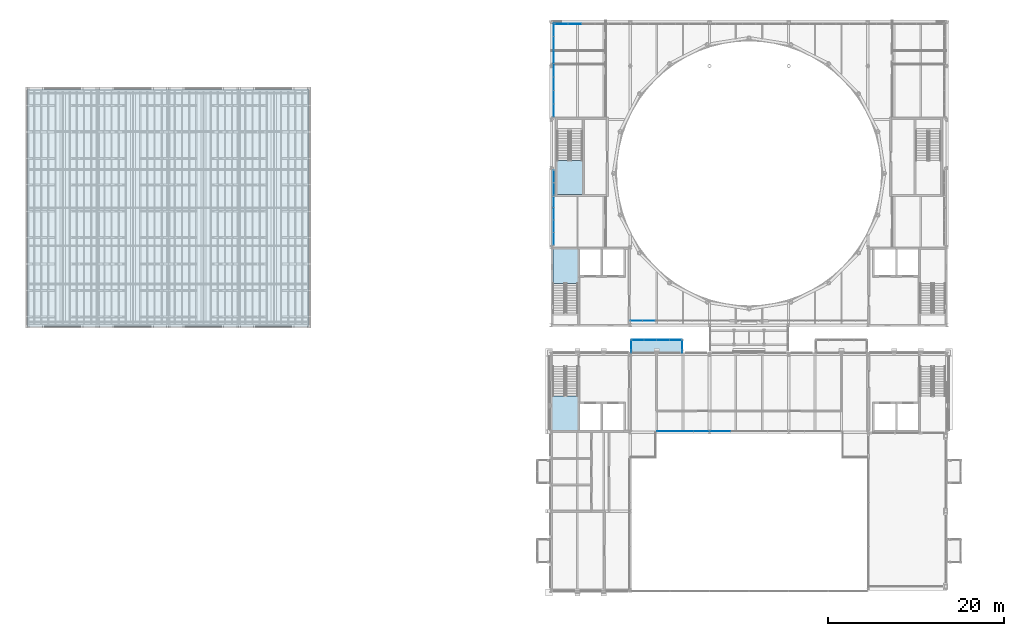
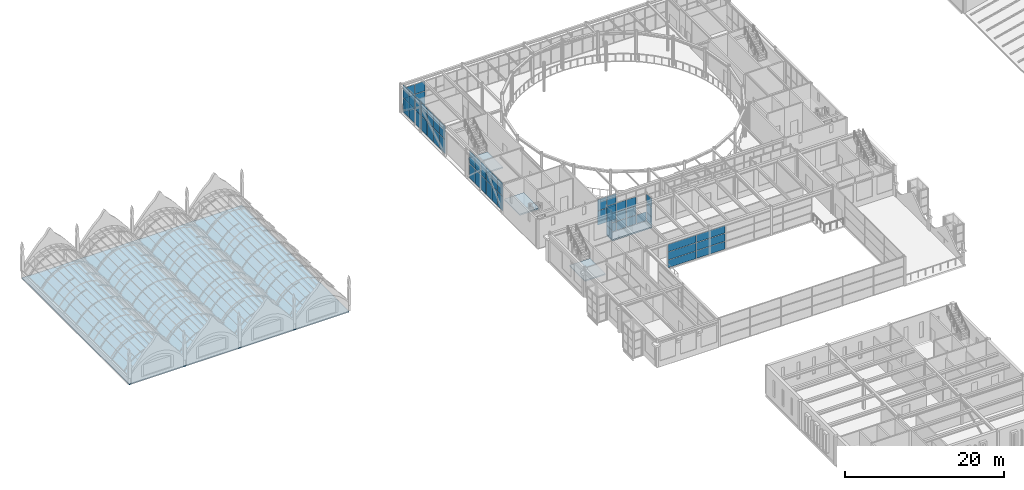
# One storey, part 60 of 111: 56 plates, 5 slabs, 11 elements without a shape of their own.
"""IFC4 building model written with IfcOpenShell, lengths in metres."""

from ifc_helpers import new_model, si_unit, direction, frame, origin, origin_2d, place, context, subcontext, project, spatial, polyline, rectangle, outline, extrude, material, layer, layer_set, type_object, element, aggregate, save


model = new_model("IFC4")

# Units and contexts
model_context = context("Model", 3, precision=1e-05, world=origin(), true_north=direction((0.0, 1.0)))
body_context = subcontext(model_context, "Body", "Model", "MODEL_VIEW")
ifc_project = project(units=[si_unit("LENGTHUNIT", "METRE"), si_unit("AREAUNIT", "SQUARE_METRE"), si_unit("VOLUMEUNIT", "CUBIC_METRE"), si_unit("PLANEANGLEUNIT", "RADIAN"), si_unit("MASSUNIT", "GRAM", prefix="KILO")], contexts=[model_context])

# Site, building, storey
site_placement = place(None, origin())
site = spatial("IfcSite", under=ifc_project, at=site_placement, CompositionType="ELEMENT")
building_placement = place(site_placement, origin())
building = spatial("IfcBuilding", under=site, at=building_placement, Name="Kallimachos Central Library", CompositionType="ELEMENT")
storey_placement = place(building_placement, frame((0.0, 0.0, 14.39990234375)))
storey = spatial("IfcBuildingStorey", under=building, at=storey_placement, Name="L03", CompositionType="ELEMENT", Elevation=14.39990234375)

# Curtain wall, plates
ifc_material_1 = material(Name="Aluminium and laminated glass", Category="aluminium")
curtain_wall_type_1 = type_object("IfcCurtainWallType", Name="Atrium glazed screen", PredefinedType="NOTDEFINED", material=ifc_material_1)
curtain_wall_1_placement = place(storey_placement, origin())
curtain_wall_1 = element("IfcCurtainWall", 1, at=curtain_wall_1_placement, inside=storey, type_object=curtain_wall_type_1, Name="L03 atrium screen N", PredefinedType="NOTDEFINED")
ifc_material_2 = material(Name="Laminated glass", Category="glass")
ifc_layer_1 = layer(ifc_material_2, 0.028076171875)
ifc_layer_set_1 = layer_set([ifc_layer_1], Name="Atrium screen glass panel")
plate_type_1 = type_object("IfcPlateType", Name="Atrium screen glass panel", PredefinedType="CURTAIN_PANEL", material=ifc_layer_set_1)
plate_1_placement = place(storey_placement, frame((79.614990234375, 75.080078125, 0.06005859375), z_axis=(0.0, 0.0, 1.0), x_axis=(1.0, 0.0, 0.0)))
plate_1 = element("IfcPlate", 2, at=plate_1_placement, type_object=plate_type_1, Name="CW panel 1.1", PredefinedType="CURTAIN_PANEL", context=body_context, shape_type="SweptSolid", body=[
    extrude(rectangle(XDim=4.110107421875, YDim=0.028076171875, at=origin_2d()), origin(), (0.0, 0.0, 1.0), 1.159912109375),
])
plate_2_placement = place(storey_placement, frame((79.614990234375, 75.080078125, 1.280029296875), z_axis=(0.0, 0.0, 1.0), x_axis=(1.0, 0.0, 0.0)))
plate_2 = element("IfcPlate", 3, at=plate_2_placement, type_object=plate_type_1, Name="CW panel 1.2", PredefinedType="CURTAIN_PANEL", context=body_context, shape_type="SweptSolid", body=[
    extrude(rectangle(XDim=4.110107421875, YDim=0.028076171875, at=origin_2d()), origin(), (0.0, 0.0, 1.0), 1.18994140625),
])
plate_3_placement = place(storey_placement, frame((79.614990234375, 75.080078125, 2.5302734375), z_axis=(0.0, 0.0, 1.0), x_axis=(1.0, 0.0, 0.0)))
plate_3 = element("IfcPlate", 4, at=plate_3_placement, type_object=plate_type_1, Name="CW panel 1.3", PredefinedType="CURTAIN_PANEL", context=body_context, shape_type="SweptSolid", body=[
    extrude(rectangle(XDim=4.110107421875, YDim=0.028076171875, at=origin_2d()), origin(), (0.0, 0.0, 1.0), 1.159912109375),
])
plate_4_placement = place(storey_placement, frame((83.800048828125, 75.080078125, 0.06005859375), z_axis=(0.0, 0.0, 1.0), x_axis=(1.0, 0.0, 0.0)))
plate_4 = element("IfcPlate", 5, at=plate_4_placement, type_object=plate_type_1, Name="CW panel 2.1", PredefinedType="CURTAIN_PANEL", context=body_context, shape_type="SweptSolid", body=[
    extrude(rectangle(XDim=4.139892578125, YDim=0.028076171875, at=origin_2d()), origin(), (0.0, 0.0, 1.0), 1.159912109375),
])
plate_5_placement = place(storey_placement, frame((83.800048828125, 75.080078125, 1.280029296875), z_axis=(0.0, 0.0, 1.0), x_axis=(1.0, 0.0, 0.0)))
plate_5 = element("IfcPlate", 6, at=plate_5_placement, type_object=plate_type_1, Name="CW panel 2.2", PredefinedType="CURTAIN_PANEL", context=body_context, shape_type="SweptSolid", body=[
    extrude(rectangle(XDim=4.139892578125, YDim=0.028076171875, at=origin_2d()), origin(), (0.0, 0.0, 1.0), 1.18994140625),
])
plate_6_placement = place(storey_placement, frame((83.800048828125, 75.080078125, 2.5302734375), z_axis=(0.0, 0.0, 1.0), x_axis=(1.0, 0.0, 0.0)))
plate_6 = element("IfcPlate", 7, at=plate_6_placement, type_object=plate_type_1, Name="CW panel 2.3", PredefinedType="CURTAIN_PANEL", context=body_context, shape_type="SweptSolid", body=[
    extrude(rectangle(XDim=4.139892578125, YDim=0.028076171875, at=origin_2d()), origin(), (0.0, 0.0, 1.0), 1.159912109375),
])
aggregate(curtain_wall_1, [plate_1, plate_2, plate_3, plate_4, plate_5, plate_6])

ifc_material_3 = material(Name="Anodised aluminium and laminated glass", Category="aluminium")
ifc_layer_2 = layer(ifc_material_3, 0.159912109375)
ifc_layer_set_2 = layer_set([ifc_layer_2], Name="Glass box curtain wall")
curtain_wall_type_2 = type_object("IfcCurtainWallType", Name="Glass box curtain wall", PredefinedType="NOTDEFINED", material=ifc_layer_set_2)
curtain_wall_2_placement = place(storey_placement, origin())
curtain_wall_2 = element("IfcCurtainWall", 8, at=curtain_wall_2_placement, inside=storey, type_object=curtain_wall_type_2, Name="Glass box curtain wall S L03", PredefinedType="NOTDEFINED")
ifc_material_4 = material(Name="Laminated glass", Category="glass")
ifc_layer_3 = layer(ifc_material_4, 0.028076171875)
ifc_layer_set_3 = layer_set([ifc_layer_3], Name="Laminated glass panel 28")
plate_type_2 = type_object("IfcPlateType", Name="Laminated glass panel 28", PredefinedType="CURTAIN_PANEL", material=ifc_layer_set_3)
plate_7_placement = place(storey_placement, frame((75.218017578125, 87.64990234375, 0.06005859375), z_axis=(0.0, 0.0, 1.0), x_axis=(1.0, 0.0, 0.0)))
plate_7 = element("IfcPlate", 9, at=plate_7_placement, type_object=plate_type_2, Name="CW21 panel 1.1", PredefinedType="CURTAIN_PANEL", context=body_context, shape_type="SweptSolid", body=[
    extrude(rectangle(XDim=1.316162109375, YDim=0.028076171875, at=origin_2d()), origin(), (0.0, 0.0, 1.0), 2.159912109375),
])
plate_8_placement = place(storey_placement, frame((75.218017578125, 87.64990234375, 2.280029296875), z_axis=(0.0, 0.0, 1.0), x_axis=(1.0, 0.0, 0.0)))
plate_8 = element("IfcPlate", 10, at=plate_8_placement, type_object=plate_type_2, Name="CW21 panel 1.2", PredefinedType="CURTAIN_PANEL", context=body_context, shape_type="SweptSolid", body=[
    extrude(rectangle(XDim=1.316162109375, YDim=0.028076171875, at=origin_2d()), origin(), (0.0, 0.0, 1.0), 1.7099609375),
])
plate_9_placement = place(storey_placement, frame((76.609375, 87.64990234375, 0.06005859375), z_axis=(0.0, 0.0, 1.0), x_axis=(1.0, 0.0, 0.0)))
plate_9 = element("IfcPlate", 11, at=plate_9_placement, type_object=plate_type_2, Name="CW21 panel 2.1", PredefinedType="CURTAIN_PANEL", context=body_context, shape_type="SweptSolid", body=[
    extrude(rectangle(XDim=1.34619140625, YDim=0.028076171875, at=origin_2d()), origin(), (0.0, 0.0, 1.0), 2.159912109375),
])
plate_10_placement = place(storey_placement, frame((76.609375, 87.64990234375, 2.280029296875), z_axis=(0.0, 0.0, 1.0), x_axis=(1.0, 0.0, 0.0)))
plate_10 = element("IfcPlate", 12, at=plate_10_placement, type_object=plate_type_2, Name="CW21 panel 2.2", PredefinedType="CURTAIN_PANEL", context=body_context, shape_type="SweptSolid", body=[
    extrude(rectangle(XDim=1.34619140625, YDim=0.028076171875, at=origin_2d()), origin(), (0.0, 0.0, 1.0), 1.7099609375),
])
aggregate(curtain_wall_2, [plate_7, plate_8, plate_9, plate_10])

curtain_wall_3_placement = place(storey_placement, origin())
curtain_wall_3 = element("IfcCurtainWall", 13, at=curtain_wall_3_placement, inside=storey, type_object=curtain_wall_type_2, Name="Glass box curtain wall W L03", PredefinedType="NOTDEFINED")
plate_11_placement = place(storey_placement, frame((65.800048828125, 96.973388671875, 0.06005859375), z_axis=(0.0, 0.0, 1.0), x_axis=(0.0, 1.0, 0.0)))
plate_11 = element("IfcPlate", 14, at=plate_11_placement, type_object=plate_type_2, Name="CW23 panel 1.1", PredefinedType="CURTAIN_PANEL", context=body_context, shape_type="SweptSolid", body=[
    extrude(rectangle(XDim=1.32666015625, YDim=0.028076171875, at=origin_2d()), origin(), (0.0, 0.0, 1.0), 2.159912109375),
])
plate_12_placement = place(storey_placement, frame((65.800048828125, 96.973388671875, 2.2802734375), z_axis=(0.0, 0.0, 1.0), x_axis=(0.0, 1.0, 0.0)))
plate_12 = element("IfcPlate", 15, at=plate_12_placement, type_object=plate_type_2, Name="CW23 panel 1.2", PredefinedType="CURTAIN_PANEL", context=body_context, shape_type="SweptSolid", body=[
    extrude(rectangle(XDim=1.32666015625, YDim=0.028076171875, at=origin_2d()), origin(), (0.0, 0.0, 1.0), 2.010009765625),
])
plate_13_placement = place(storey_placement, frame((65.800048828125, 98.375, 0.06005859375), z_axis=(0.0, 0.0, 1.0), x_axis=(0.0, 1.0, 0.0)))
plate_13 = element("IfcPlate", 16, at=plate_13_placement, type_object=plate_type_2, Name="CW23 panel 2.1", PredefinedType="CURTAIN_PANEL", context=body_context, shape_type="SweptSolid", body=[
    extrude(rectangle(XDim=1.356689453125, YDim=0.028076171875, at=origin_2d()), origin(), (0.0, 0.0, 1.0), 2.159912109375),
])
plate_14_placement = place(storey_placement, frame((65.800048828125, 98.375, 2.2802734375), z_axis=(0.0, 0.0, 1.0), x_axis=(0.0, 1.0, 0.0)))
plate_14 = element("IfcPlate", 17, at=plate_14_placement, type_object=plate_type_2, Name="CW23 panel 2.2", PredefinedType="CURTAIN_PANEL", context=body_context, shape_type="SweptSolid", body=[
    extrude(rectangle(XDim=1.356689453125, YDim=0.028076171875, at=origin_2d()), origin(), (0.0, 0.0, 1.0), 2.010009765625),
])
plate_15_placement = place(storey_placement, frame((65.800048828125, 99.791748046875, 0.06005859375), z_axis=(0.0, 0.0, 1.0), x_axis=(0.0, 1.0, 0.0)))
plate_15 = element("IfcPlate", 18, at=plate_15_placement, type_object=plate_type_2, Name="CW23 panel 3.1", PredefinedType="CURTAIN_PANEL", context=body_context, shape_type="SweptSolid", body=[
    extrude(rectangle(XDim=1.356689453125, YDim=0.028076171875, at=origin_2d()), origin(), (0.0, 0.0, 1.0), 2.159912109375),
])
plate_16_placement = place(storey_placement, frame((65.800048828125, 99.791748046875, 2.2802734375), z_axis=(0.0, 0.0, 1.0), x_axis=(0.0, 1.0, 0.0)))
plate_16 = element("IfcPlate", 19, at=plate_16_placement, type_object=plate_type_2, Name="CW23 panel 3.2", PredefinedType="CURTAIN_PANEL", context=body_context, shape_type="SweptSolid", body=[
    extrude(rectangle(XDim=1.356689453125, YDim=0.028076171875, at=origin_2d()), origin(), (0.0, 0.0, 1.0), 2.010009765625),
])
plate_17_placement = place(storey_placement, frame((65.800048828125, 101.208251953125, 0.06005859375), z_axis=(0.0, 0.0, 1.0), x_axis=(0.0, 1.0, 0.0)))
plate_17 = element("IfcPlate", 20, at=plate_17_placement, type_object=plate_type_2, Name="CW23 panel 4.1", PredefinedType="CURTAIN_PANEL", context=body_context, shape_type="SweptSolid", body=[
    extrude(rectangle(XDim=1.356689453125, YDim=0.028076171875, at=origin_2d()), origin(), (0.0, 0.0, 1.0), 2.159912109375),
])
plate_18_placement = place(storey_placement, frame((65.800048828125, 101.208251953125, 2.2802734375), z_axis=(0.0, 0.0, 1.0), x_axis=(0.0, 1.0, 0.0)))
plate_18 = element("IfcPlate", 21, at=plate_18_placement, type_object=plate_type_2, Name="CW23 panel 4.2", PredefinedType="CURTAIN_PANEL", context=body_context, shape_type="SweptSolid", body=[
    extrude(rectangle(XDim=1.356689453125, YDim=0.028076171875, at=origin_2d()), origin(), (0.0, 0.0, 1.0), 2.010009765625),
])
plate_19_placement = place(storey_placement, frame((65.800048828125, 102.625, 0.06005859375), z_axis=(0.0, 0.0, 1.0), x_axis=(0.0, 1.0, 0.0)))
plate_19 = element("IfcPlate", 22, at=plate_19_placement, type_object=plate_type_2, Name="CW23 panel 5.1", PredefinedType="CURTAIN_PANEL", context=body_context, shape_type="SweptSolid", body=[
    extrude(rectangle(XDim=1.356689453125, YDim=0.028076171875, at=origin_2d()), origin(), (0.0, 0.0, 1.0), 2.159912109375),
])
plate_20_placement = place(storey_placement, frame((65.800048828125, 102.625, 2.2802734375), z_axis=(0.0, 0.0, 1.0), x_axis=(0.0, 1.0, 0.0)))
plate_20 = element("IfcPlate", 23, at=plate_20_placement, type_object=plate_type_2, Name="CW23 panel 5.2", PredefinedType="CURTAIN_PANEL", context=body_context, shape_type="SweptSolid", body=[
    extrude(rectangle(XDim=1.356689453125, YDim=0.028076171875, at=origin_2d()), origin(), (0.0, 0.0, 1.0), 2.010009765625),
])
plate_21_placement = place(storey_placement, frame((65.800048828125, 104.026611328125, 0.06005859375), z_axis=(0.0, 0.0, 1.0), x_axis=(0.0, 1.0, 0.0)))
plate_21 = element("IfcPlate", 24, at=plate_21_placement, type_object=plate_type_2, Name="CW23 panel 6.1", PredefinedType="CURTAIN_PANEL", context=body_context, shape_type="SweptSolid", body=[
    extrude(rectangle(XDim=1.32666015625, YDim=0.028076171875, at=origin_2d()), origin(), (0.0, 0.0, 1.0), 2.159912109375),
])
plate_22_placement = place(storey_placement, frame((65.800048828125, 104.026611328125, 2.2802734375), z_axis=(0.0, 0.0, 1.0), x_axis=(0.0, 1.0, 0.0)))
plate_22 = element("IfcPlate", 25, at=plate_22_placement, type_object=plate_type_2, Name="CW23 panel 6.2", PredefinedType="CURTAIN_PANEL", context=body_context, shape_type="SweptSolid", body=[
    extrude(rectangle(XDim=1.32666015625, YDim=0.028076171875, at=origin_2d()), origin(), (0.0, 0.0, 1.0), 2.010009765625),
])
aggregate(curtain_wall_3, [plate_11, plate_12, plate_13, plate_14, plate_15, plate_16, plate_17, plate_18, plate_19, plate_20, plate_21, plate_22])

curtain_wall_4_placement = place(storey_placement, origin())
curtain_wall_4 = element("IfcCurtainWall", 26, at=curtain_wall_4_placement, inside=storey, type_object=curtain_wall_type_2, Name="Glass box curtain wall W L03", PredefinedType="NOTDEFINED")
plate_23_placement = place(storey_placement, frame((65.800048828125, 111.532958984375, 0.06005859375), z_axis=(0.0, 0.0, 1.0), x_axis=(0.0, 1.0, 0.0)))
plate_23 = element("IfcPlate", 27, at=plate_23_placement, type_object=plate_type_2, Name="CW24 panel 1.1", PredefinedType="CURTAIN_PANEL", context=body_context, shape_type="SweptSolid", body=[
    extrude(rectangle(XDim=1.44580078125, YDim=0.028076171875, at=origin_2d()), origin(), (0.0, 0.0, 1.0), 2.159912109375),
])
plate_24_placement = place(storey_placement, frame((65.800048828125, 111.532958984375, 2.2802734375), z_axis=(0.0, 0.0, 1.0), x_axis=(0.0, 1.0, 0.0)))
plate_24 = element("IfcPlate", 28, at=plate_24_placement, type_object=plate_type_2, Name="CW24 panel 1.2", PredefinedType="CURTAIN_PANEL", context=body_context, shape_type="SweptSolid", body=[
    extrude(rectangle(XDim=1.44580078125, YDim=0.028076171875, at=origin_2d()), origin(), (0.0, 0.0, 1.0), 2.010009765625),
])
plate_25_placement = place(storey_placement, frame((65.800048828125, 113.053466796875, 0.06005859375), z_axis=(0.0, 0.0, 1.0), x_axis=(0.0, 1.0, 0.0)))
plate_25 = element("IfcPlate", 29, at=plate_25_placement, type_object=plate_type_2, Name="CW24 panel 2.1", PredefinedType="CURTAIN_PANEL", context=body_context, shape_type="SweptSolid", body=[
    extrude(rectangle(XDim=1.475830078125, YDim=0.028076171875, at=origin_2d()), origin(), (0.0, 0.0, 1.0), 2.159912109375),
])
plate_26_placement = place(storey_placement, frame((65.800048828125, 113.053466796875, 2.2802734375), z_axis=(0.0, 0.0, 1.0), x_axis=(0.0, 1.0, 0.0)))
plate_26 = element("IfcPlate", 30, at=plate_26_placement, type_object=plate_type_2, Name="CW24 panel 2.2", PredefinedType="CURTAIN_PANEL", context=body_context, shape_type="SweptSolid", body=[
    extrude(rectangle(XDim=1.475830078125, YDim=0.028076171875, at=origin_2d()), origin(), (0.0, 0.0, 1.0), 2.010009765625),
])
plate_27_placement = place(storey_placement, frame((65.800048828125, 114.58935546875, 0.06005859375), z_axis=(0.0, 0.0, 1.0), x_axis=(0.0, 1.0, 0.0)))
plate_27 = element("IfcPlate", 31, at=plate_27_placement, type_object=plate_type_2, Name="CW24 panel 3.1", PredefinedType="CURTAIN_PANEL", context=body_context, shape_type="SweptSolid", body=[
    extrude(rectangle(XDim=1.475830078125, YDim=0.028076171875, at=origin_2d()), origin(), (0.0, 0.0, 1.0), 2.159912109375),
])
plate_28_placement = place(storey_placement, frame((65.800048828125, 114.58935546875, 2.2802734375), z_axis=(0.0, 0.0, 1.0), x_axis=(0.0, 1.0, 0.0)))
plate_28 = element("IfcPlate", 32, at=plate_28_placement, type_object=plate_type_2, Name="CW24 panel 3.2", PredefinedType="CURTAIN_PANEL", context=body_context, shape_type="SweptSolid", body=[
    extrude(rectangle(XDim=1.475830078125, YDim=0.028076171875, at=origin_2d()), origin(), (0.0, 0.0, 1.0), 2.010009765625),
])
plate_29_placement = place(storey_placement, frame((65.800048828125, 116.125, 0.06005859375), z_axis=(0.0, 0.0, 1.0), x_axis=(0.0, 1.0, 0.0)))
plate_29 = element("IfcPlate", 33, at=plate_29_placement, type_object=plate_type_2, Name="CW24 panel 4.1", PredefinedType="CURTAIN_PANEL", context=body_context, shape_type="SweptSolid", body=[
    extrude(rectangle(XDim=1.475830078125, YDim=0.028076171875, at=origin_2d()), origin(), (0.0, 0.0, 1.0), 2.159912109375),
])
plate_30_placement = place(storey_placement, frame((65.800048828125, 116.125, 2.2802734375), z_axis=(0.0, 0.0, 1.0), x_axis=(0.0, 1.0, 0.0)))
plate_30 = element("IfcPlate", 34, at=plate_30_placement, type_object=plate_type_2, Name="CW24 panel 4.2", PredefinedType="CURTAIN_PANEL", context=body_context, shape_type="SweptSolid", body=[
    extrude(rectangle(XDim=1.475830078125, YDim=0.028076171875, at=origin_2d()), origin(), (0.0, 0.0, 1.0), 2.010009765625),
])
plate_31_placement = place(storey_placement, frame((65.800048828125, 117.66064453125, 0.06005859375), z_axis=(0.0, 0.0, 1.0), x_axis=(0.0, 1.0, 0.0)))
plate_31 = element("IfcPlate", 35, at=plate_31_placement, type_object=plate_type_2, Name="CW24 panel 5.1", PredefinedType="CURTAIN_PANEL", context=body_context, shape_type="SweptSolid", body=[
    extrude(rectangle(XDim=1.475830078125, YDim=0.028076171875, at=origin_2d()), origin(), (0.0, 0.0, 1.0), 2.159912109375),
])
plate_32_placement = place(storey_placement, frame((65.800048828125, 117.66064453125, 2.2802734375), z_axis=(0.0, 0.0, 1.0), x_axis=(0.0, 1.0, 0.0)))
plate_32 = element("IfcPlate", 36, at=plate_32_placement, type_object=plate_type_2, Name="CW24 panel 5.2", PredefinedType="CURTAIN_PANEL", context=body_context, shape_type="SweptSolid", body=[
    extrude(rectangle(XDim=1.475830078125, YDim=0.028076171875, at=origin_2d()), origin(), (0.0, 0.0, 1.0), 2.010009765625),
])
plate_33_placement = place(storey_placement, frame((65.800048828125, 119.196533203125, 0.06005859375), z_axis=(0.0, 0.0, 1.0), x_axis=(0.0, 1.0, 0.0)))
plate_33 = element("IfcPlate", 37, at=plate_33_placement, type_object=plate_type_2, Name="CW24 panel 6.1", PredefinedType="CURTAIN_PANEL", context=body_context, shape_type="SweptSolid", body=[
    extrude(rectangle(XDim=1.475830078125, YDim=0.028076171875, at=origin_2d()), origin(), (0.0, 0.0, 1.0), 2.159912109375),
])
plate_34_placement = place(storey_placement, frame((65.800048828125, 119.196533203125, 2.2802734375), z_axis=(0.0, 0.0, 1.0), x_axis=(0.0, 1.0, 0.0)))
plate_34 = element("IfcPlate", 38, at=plate_34_placement, type_object=plate_type_2, Name="CW24 panel 6.2", PredefinedType="CURTAIN_PANEL", context=body_context, shape_type="SweptSolid", body=[
    extrude(rectangle(XDim=1.475830078125, YDim=0.028076171875, at=origin_2d()), origin(), (0.0, 0.0, 1.0), 2.010009765625),
])
plate_35_placement = place(storey_placement, frame((65.800048828125, 120.717041015625, 0.06005859375), z_axis=(0.0, 0.0, 1.0), x_axis=(0.0, 1.0, 0.0)))
plate_35 = element("IfcPlate", 39, at=plate_35_placement, type_object=plate_type_2, Name="CW24 panel 7.1", PredefinedType="CURTAIN_PANEL", context=body_context, shape_type="SweptSolid", body=[
    extrude(rectangle(XDim=1.44580078125, YDim=0.028076171875, at=origin_2d()), origin(), (0.0, 0.0, 1.0), 2.159912109375),
])
plate_36_placement = place(storey_placement, frame((65.800048828125, 120.717041015625, 2.2802734375), z_axis=(0.0, 0.0, 1.0), x_axis=(0.0, 1.0, 0.0)))
plate_36 = element("IfcPlate", 40, at=plate_36_placement, type_object=plate_type_2, Name="CW24 panel 7.2", PredefinedType="CURTAIN_PANEL", context=body_context, shape_type="SweptSolid", body=[
    extrude(rectangle(XDim=1.44580078125, YDim=0.028076171875, at=origin_2d()), origin(), (0.0, 0.0, 1.0), 2.010009765625),
])
aggregate(curtain_wall_4, [plate_23, plate_24, plate_25, plate_26, plate_27, plate_28, plate_29, plate_30, plate_31, plate_32, plate_33, plate_34, plate_35, plate_36])

curtain_wall_5_placement = place(storey_placement, origin())
curtain_wall_5 = element("IfcCurtainWall", 41, at=curtain_wall_5_placement, inside=storey, type_object=curtain_wall_type_2, Name="Glass box curtain wall N L03", PredefinedType="NOTDEFINED")
plate_37_placement = place(storey_placement, frame((66.6962890625, 121.3798828125, 0.06005859375), z_axis=(0.0, 0.0, 1.0), x_axis=(1.0, 0.0, 0.0)))
plate_37 = element("IfcPlate", 42, at=plate_37_placement, type_object=plate_type_2, Name="CW27 panel 1.1", PredefinedType="CURTAIN_PANEL", context=body_context, shape_type="SweptSolid", body=[
    extrude(rectangle(XDim=1.432861328125, YDim=0.028076171875, at=origin_2d()), origin(), (0.0, 0.0, 1.0), 2.159912109375),
])
plate_38_placement = place(storey_placement, frame((66.6962890625, 121.3798828125, 2.2802734375), z_axis=(0.0, 0.0, 1.0), x_axis=(1.0, 0.0, 0.0)))
plate_38 = element("IfcPlate", 43, at=plate_38_placement, type_object=plate_type_2, Name="CW27 panel 1.2", PredefinedType="CURTAIN_PANEL", context=body_context, shape_type="SweptSolid", body=[
    extrude(rectangle(XDim=1.432861328125, YDim=0.028076171875, at=origin_2d()), origin(), (0.0, 0.0, 1.0), 1.510009765625),
])
plate_39_placement = place(storey_placement, frame((68.2041015625, 121.3798828125, 0.06005859375), z_axis=(0.0, 0.0, 1.0), x_axis=(1.0, 0.0, 0.0)))
plate_39 = element("IfcPlate", 44, at=plate_39_placement, type_object=plate_type_2, Name="CW27 panel 2.1", PredefinedType="CURTAIN_PANEL", context=body_context, shape_type="SweptSolid", body=[
    extrude(rectangle(XDim=1.462646484375, YDim=0.028076171875, at=origin_2d()), origin(), (0.0, 0.0, 1.0), 2.159912109375),
])
plate_40_placement = place(storey_placement, frame((68.2041015625, 121.3798828125, 2.2802734375), z_axis=(0.0, 0.0, 1.0), x_axis=(1.0, 0.0, 0.0)))
plate_40 = element("IfcPlate", 45, at=plate_40_placement, type_object=plate_type_2, Name="CW27 panel 2.2", PredefinedType="CURTAIN_PANEL", context=body_context, shape_type="SweptSolid", body=[
    extrude(rectangle(XDim=1.462646484375, YDim=0.028076171875, at=origin_2d()), origin(), (0.0, 0.0, 1.0), 1.510009765625),
])
aggregate(curtain_wall_5, [plate_37, plate_38, plate_39, plate_40])

# Slab
ifc_material_5 = material(Name="Composite slab C30/37 on steel deck", Category="concrete")
ifc_layer_4 = layer(ifc_material_5, 0.14990234375)
ifc_layer_set_4 = layer_set([ifc_layer_4], Name="Roof deck slab 150")
slab_type_1 = type_object("IfcSlabType", Name="Roof deck slab 150", PredefinedType="ROOF", material=ifc_layer_set_4)
slab_1_placement = place(storey_placement, frame((0.0, 0.0, -0.14990234375)))
element("IfcSlab", 46, at=slab_1_placement, inside=storey, type_object=slab_type_1, Name="V2-SLB-L03-001", PredefinedType="ROOF", context=body_context, shape_type="SweptSolid", body=[
    extrude(outline(polyline([(6.0, 87.0), (38.0, 87.0), (38.0, 114.0), (6.0, 114.0), (6.0, 87.0)])), origin(), (0.0, 0.0, 1.0), 0.14990234375),
])

# Stair, slab
ifc_material_6 = material(Name="Concrete C30/37", Category="concrete")
stair_type_1 = type_object("IfcStairType", Name="Escape stair", PredefinedType="HALF_TURN_STAIR", material=ifc_material_6)
stair_1_placement = place(storey_placement, origin())
stair_1 = element("IfcStair", 47, at=stair_1_placement, inside=storey, type_object=stair_type_1, Name="L03 stair ST9", PredefinedType="HALF_TURN_STAIR")
ifc_material_7 = material(Name="Concrete C30/37", Category="concrete")
ifc_layer_5 = layer(ifc_material_7, 0.199951171875)
ifc_layer_set_5 = layer_set([ifc_layer_5], Name="Stair landing")
slab_type_2 = type_object("IfcSlabType", Name="Stair landing", PredefinedType="LANDING", material=ifc_layer_set_5)
slab_2_placement = place(storey_placement, frame((0.0, 0.0, 2.050048828125)))
slab_2 = element("IfcSlab", 48, at=slab_2_placement, type_object=slab_type_2, Name="ST9 landing 1", PredefinedType="LANDING", context=body_context, shape_type="SweptSolid", body=[
    extrude(outline(polyline([(65.54638671875, 75.199951171875), (68.550048828125, 75.199951171875), (68.550048828125, 79.090087890625), (65.54638671875, 79.090087890625), (65.54638671875, 75.199951171875)])), origin(), (0.0, 0.0, 1.0), 0.199951171875),
])
aggregate(stair_1, [slab_2])

ifc_material_8 = material(Name="Steel S355J2", Category="steel")
stair_type_2 = type_object("IfcStairType", Name="Steel half-turn stair 1350", PredefinedType="HALF_TURN_STAIR", material=ifc_material_8)
stair_2_placement = place(storey_placement, origin())
stair_2 = element("IfcStair", 49, at=stair_2_placement, inside=storey, type_object=stair_type_2, Name="L03 stair ST1", PredefinedType="HALF_TURN_STAIR")
ifc_material_9 = material(Name="Concrete C30/37", Category="concrete")
ifc_layer_6 = layer(ifc_material_9, 0.199951171875)
ifc_layer_set_6 = layer_set([ifc_layer_6], Name="Stair landing slab 200")
slab_type_3 = type_object("IfcSlabType", Name="Stair landing slab 200", PredefinedType="LANDING", material=ifc_layer_set_6)
slab_3_placement = place(storey_placement, frame((0.0, 0.0, 2.050048828125)))
slab_3 = element("IfcSlab", 50, at=slab_3_placement, type_object=slab_type_3, Name="ST1 landing 1", PredefinedType="LANDING", context=body_context, shape_type="SweptSolid", body=[
    extrude(outline(polyline([(68.550048828125, 91.909912109375), (68.550048828125, 95.800048828125), (65.699951171875, 95.800048828125), (65.699951171875, 91.909912109375), (68.550048828125, 91.909912109375)])), origin(), (0.0, 0.0, 1.0), 0.199951171875),
])
aggregate(stair_2, [slab_3])

stair_3_placement = place(storey_placement, origin())
stair_3 = element("IfcStair", 51, at=stair_3_placement, inside=storey, type_object=stair_type_2, Name="L03 stair ST3", PredefinedType="HALF_TURN_STAIR")
slab_4_placement = place(storey_placement, frame((0.0, 0.0, 2.050048828125)))
slab_4 = element("IfcSlab", 52, at=slab_4_placement, type_object=slab_type_3, Name="ST3 landing 1", PredefinedType="LANDING", context=body_context, shape_type="SweptSolid", body=[
    extrude(outline(polyline([(66.199951171875, 105.864990234375), (66.199951171875, 101.97509765625), (69.050048828125, 101.97509765625), (69.050048828125, 105.864990234375), (66.199951171875, 105.864990234375)])), origin(), (0.0, 0.0, 1.0), 0.199951171875),
])
aggregate(stair_3, [slab_4])

# Slab
ifc_material_10 = material(Name="Composite slab C30/37 on steel deck", Category="concrete")
ifc_layer_7 = layer(ifc_material_10, 0.199951171875)
ifc_layer_set_7 = layer_set([ifc_layer_7], Name="Tribune bay floor slab 200")
slab_type_4 = type_object("IfcSlabType", Name="Tribune bay floor slab 200", PredefinedType="FLOOR", material=ifc_layer_set_7)
slab_5_placement = place(storey_placement, frame((0.0, 0.0, -0.199951171875)))
element("IfcSlab", 53, at=slab_5_placement, inside=storey, type_object=slab_type_4, Name="Tribune bay N1 floor L03", PredefinedType="FLOOR", context=body_context, shape_type="SweptSolid", body=[
    extrude(outline(polyline([(74.60009765625, 85.466064453125), (80.39990234375, 85.466064453125), (80.39990234375, 84.0), (74.60009765625, 84.0), (74.60009765625, 85.466064453125)])), origin(), (0.0, 0.0, 1.0), 0.199951171875),
])

# Curtain wall, plates
ifc_material_11 = material(Name="Aluminium and laminated glass", Category="aluminium")
curtain_wall_type_3 = type_object("IfcCurtainWallType", Name="Tribune bay glazed screen", PredefinedType="NOTDEFINED", material=ifc_material_11)
curtain_wall_6_placement = place(storey_placement, origin())
curtain_wall_6 = element("IfcCurtainWall", 54, at=curtain_wall_6_placement, inside=storey, type_object=curtain_wall_type_3, Name="Tribune bay N1 L03 front", PredefinedType="NOTDEFINED")
ifc_material_12 = material(Name="Laminated glass", Category="glass")
ifc_layer_8 = layer(ifc_material_12, 0.028076171875)
ifc_layer_set_8 = layer_set([ifc_layer_8], Name="Tribune bay glass panel")
plate_type_3 = type_object("IfcPlateType", Name="Tribune bay glass panel", PredefinedType="CURTAIN_PANEL", material=ifc_layer_set_8)
plate_41_placement = place(storey_placement, frame((75.340087890625, 85.466064453125, 0.06005859375), z_axis=(0.0, 0.0, 1.0), x_axis=(1.0, 0.0, 0.0)))
plate_41 = element("IfcPlate", 55, at=plate_41_placement, type_object=plate_type_3, Name="CW panel 1.1", PredefinedType="CURTAIN_PANEL", context=body_context, shape_type="SweptSolid", body=[
    extrude(rectangle(XDim=1.360107421875, YDim=0.028076171875, at=origin_2d()), origin(), (0.0, 0.0, 1.0), 1.34326171875),
])
plate_42_placement = place(storey_placement, frame((75.340087890625, 85.466064453125, 1.46337890625), z_axis=(0.0, 0.0, 1.0), x_axis=(1.0, 0.0, 0.0)))
plate_42 = element("IfcPlate", 56, at=plate_42_placement, type_object=plate_type_3, Name="CW panel 1.2", PredefinedType="CURTAIN_PANEL", context=body_context, shape_type="SweptSolid", body=[
    extrude(rectangle(XDim=1.360107421875, YDim=0.028076171875, at=origin_2d()), origin(), (0.0, 0.0, 1.0), 1.373291015625),
])
plate_43_placement = place(storey_placement, frame((75.340087890625, 85.466064453125, 2.896728515625), z_axis=(0.0, 0.0, 1.0), x_axis=(1.0, 0.0, 0.0)))
plate_43 = element("IfcPlate", 57, at=plate_43_placement, type_object=plate_type_3, Name="CW panel 1.3", PredefinedType="CURTAIN_PANEL", context=body_context, shape_type="SweptSolid", body=[
    extrude(rectangle(XDim=1.360107421875, YDim=0.028076171875, at=origin_2d()), origin(), (0.0, 0.0, 1.0), 1.34326171875),
])
plate_44_placement = place(storey_placement, frame((76.77490234375, 85.466064453125, 0.06005859375), z_axis=(0.0, 0.0, 1.0), x_axis=(1.0, 0.0, 0.0)))
plate_44 = element("IfcPlate", 58, at=plate_44_placement, type_object=plate_type_3, Name="CW panel 2.1", PredefinedType="CURTAIN_PANEL", context=body_context, shape_type="SweptSolid", body=[
    extrude(rectangle(XDim=1.389892578125, YDim=0.028076171875, at=origin_2d()), origin(), (0.0, 0.0, 1.0), 1.34326171875),
])
plate_45_placement = place(storey_placement, frame((76.77490234375, 85.466064453125, 1.46337890625), z_axis=(0.0, 0.0, 1.0), x_axis=(1.0, 0.0, 0.0)))
plate_45 = element("IfcPlate", 59, at=plate_45_placement, type_object=plate_type_3, Name="CW panel 2.2", PredefinedType="CURTAIN_PANEL", context=body_context, shape_type="SweptSolid", body=[
    extrude(rectangle(XDim=1.389892578125, YDim=0.028076171875, at=origin_2d()), origin(), (0.0, 0.0, 1.0), 1.373291015625),
])
plate_46_placement = place(storey_placement, frame((76.77490234375, 85.466064453125, 2.896728515625), z_axis=(0.0, 0.0, 1.0), x_axis=(1.0, 0.0, 0.0)))
plate_46 = element("IfcPlate", 60, at=plate_46_placement, type_object=plate_type_3, Name="CW panel 2.3", PredefinedType="CURTAIN_PANEL", context=body_context, shape_type="SweptSolid", body=[
    extrude(rectangle(XDim=1.389892578125, YDim=0.028076171875, at=origin_2d()), origin(), (0.0, 0.0, 1.0), 1.34326171875),
])
plate_47_placement = place(storey_placement, frame((78.22509765625, 85.466064453125, 0.06005859375), z_axis=(0.0, 0.0, 1.0), x_axis=(1.0, 0.0, 0.0)))
plate_47 = element("IfcPlate", 61, at=plate_47_placement, type_object=plate_type_3, Name="CW panel 3.1", PredefinedType="CURTAIN_PANEL", context=body_context, shape_type="SweptSolid", body=[
    extrude(rectangle(XDim=1.389892578125, YDim=0.028076171875, at=origin_2d()), origin(), (0.0, 0.0, 1.0), 1.34326171875),
])
plate_48_placement = place(storey_placement, frame((78.22509765625, 85.466064453125, 1.46337890625), z_axis=(0.0, 0.0, 1.0), x_axis=(1.0, 0.0, 0.0)))
plate_48 = element("IfcPlate", 62, at=plate_48_placement, type_object=plate_type_3, Name="CW panel 3.2", PredefinedType="CURTAIN_PANEL", context=body_context, shape_type="SweptSolid", body=[
    extrude(rectangle(XDim=1.389892578125, YDim=0.028076171875, at=origin_2d()), origin(), (0.0, 0.0, 1.0), 1.373291015625),
])
plate_49_placement = place(storey_placement, frame((78.22509765625, 85.466064453125, 2.896728515625), z_axis=(0.0, 0.0, 1.0), x_axis=(1.0, 0.0, 0.0)))
plate_49 = element("IfcPlate", 63, at=plate_49_placement, type_object=plate_type_3, Name="CW panel 3.3", PredefinedType="CURTAIN_PANEL", context=body_context, shape_type="SweptSolid", body=[
    extrude(rectangle(XDim=1.389892578125, YDim=0.028076171875, at=origin_2d()), origin(), (0.0, 0.0, 1.0), 1.34326171875),
])
plate_50_placement = place(storey_placement, frame((79.659912109375, 85.466064453125, 0.06005859375), z_axis=(0.0, 0.0, 1.0), x_axis=(1.0, 0.0, 0.0)))
plate_50 = element("IfcPlate", 64, at=plate_50_placement, type_object=plate_type_3, Name="CW panel 4.1", PredefinedType="CURTAIN_PANEL", context=body_context, shape_type="SweptSolid", body=[
    extrude(rectangle(XDim=1.360107421875, YDim=0.028076171875, at=origin_2d()), origin(), (0.0, 0.0, 1.0), 1.34326171875),
])
aggregate(curtain_wall_6, [plate_41, plate_42, plate_43, plate_44, plate_45, plate_46, plate_47, plate_48, plate_49, plate_50])

curtain_wall_7_placement = place(storey_placement, origin())
curtain_wall_7 = element("IfcCurtainWall", 65, at=curtain_wall_7_placement, inside=storey, type_object=curtain_wall_type_3, Name="Tribune bay N1 L03 return 1", PredefinedType="NOTDEFINED")
plate_51_placement = place(storey_placement, frame((74.60009765625, 84.716064453125, 0.06005859375), z_axis=(0.0, 0.0, 1.0), x_axis=(0.0, 1.0, 0.0)))
plate_51 = element("IfcPlate", 66, at=plate_51_placement, type_object=plate_type_3, Name="CW panel 1.1", PredefinedType="CURTAIN_PANEL", context=body_context, shape_type="SweptSolid", body=[
    extrude(rectangle(XDim=1.3798828125, YDim=0.028076171875, at=origin_2d()), origin(), (0.0, 0.0, 1.0), 1.34326171875),
])
plate_52_placement = place(storey_placement, frame((74.60009765625, 84.716064453125, 1.46337890625), z_axis=(0.0, 0.0, 1.0), x_axis=(0.0, 1.0, 0.0)))
plate_52 = element("IfcPlate", 67, at=plate_52_placement, type_object=plate_type_3, Name="CW panel 1.2", PredefinedType="CURTAIN_PANEL", context=body_context, shape_type="SweptSolid", body=[
    extrude(rectangle(XDim=1.3798828125, YDim=0.028076171875, at=origin_2d()), origin(), (0.0, 0.0, 1.0), 1.373291015625),
])
plate_53_placement = place(storey_placement, frame((74.60009765625, 84.716064453125, 2.896728515625), z_axis=(0.0, 0.0, 1.0), x_axis=(0.0, 1.0, 0.0)))
plate_53 = element("IfcPlate", 68, at=plate_53_placement, type_object=plate_type_3, Name="CW panel 1.3", PredefinedType="CURTAIN_PANEL", context=body_context, shape_type="SweptSolid", body=[
    extrude(rectangle(XDim=1.3798828125, YDim=0.028076171875, at=origin_2d()), origin(), (0.0, 0.0, 1.0), 1.34326171875),
])
aggregate(curtain_wall_7, [plate_51, plate_52, plate_53])

curtain_wall_8_placement = place(storey_placement, origin())
curtain_wall_8 = element("IfcCurtainWall", 69, at=curtain_wall_8_placement, inside=storey, type_object=curtain_wall_type_3, Name="Tribune bay N1 L03 return 2", PredefinedType="NOTDEFINED")
plate_54_placement = place(storey_placement, frame((80.39990234375, 84.716064453125, 0.06005859375), z_axis=(0.0, 0.0, 1.0), x_axis=(0.0, 1.0, 0.0)))
plate_54 = element("IfcPlate", 70, at=plate_54_placement, type_object=plate_type_3, Name="CW panel 1.1", PredefinedType="CURTAIN_PANEL", context=body_context, shape_type="SweptSolid", body=[
    extrude(rectangle(XDim=1.3798828125, YDim=0.028076171875, at=origin_2d()), origin(), (0.0, 0.0, 1.0), 1.34326171875),
])
plate_55_placement = place(storey_placement, frame((80.39990234375, 84.716064453125, 1.46337890625), z_axis=(0.0, 0.0, 1.0), x_axis=(0.0, 1.0, 0.0)))
plate_55 = element("IfcPlate", 71, at=plate_55_placement, type_object=plate_type_3, Name="CW panel 1.2", PredefinedType="CURTAIN_PANEL", context=body_context, shape_type="SweptSolid", body=[
    extrude(rectangle(XDim=1.3798828125, YDim=0.028076171875, at=origin_2d()), origin(), (0.0, 0.0, 1.0), 1.373291015625),
])
plate_56_placement = place(storey_placement, frame((80.39990234375, 84.716064453125, 2.896728515625), z_axis=(0.0, 0.0, 1.0), x_axis=(0.0, 1.0, 0.0)))
plate_56 = element("IfcPlate", 72, at=plate_56_placement, type_object=plate_type_3, Name="CW panel 1.3", PredefinedType="CURTAIN_PANEL", context=body_context, shape_type="SweptSolid", body=[
    extrude(rectangle(XDim=1.3798828125, YDim=0.028076171875, at=origin_2d()), origin(), (0.0, 0.0, 1.0), 1.34326171875),
])
aggregate(curtain_wall_8, [plate_54, plate_55, plate_56])

save(model, "model.ifc")
